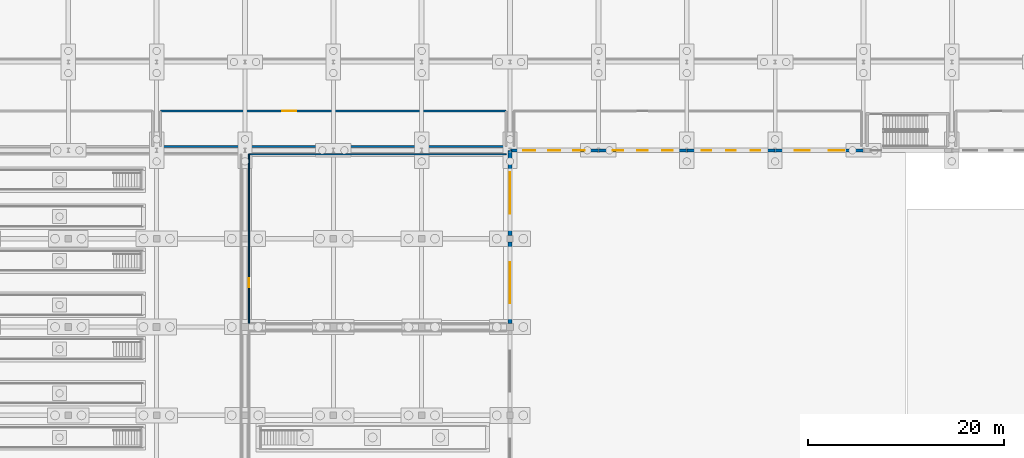
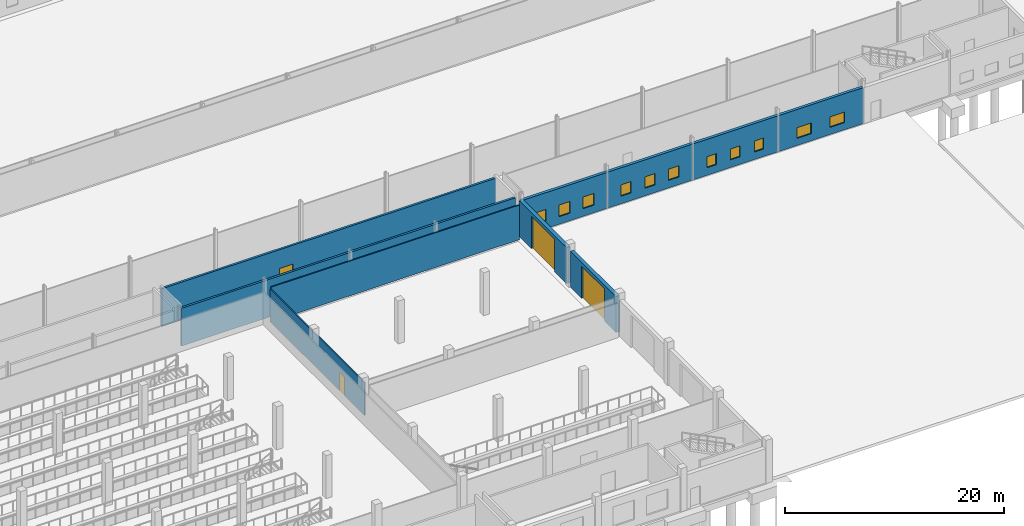
# One storey, part 70 of 112: 11 windows, 10 walls, 4 doors, 15 openings.
"""IFC4 building model written with IfcOpenShell, lengths in metres."""

from ifc_helpers import new_model, si_unit, direction, frame, frame_2d, origin, place, context, subcontext, project, spatial, rectangle, extrude, material, layer, layer_set, type_object, element, fill, save


model = new_model("IFC4")

# Units and contexts
model_context = context("Model", 3, precision=1e-05, world=origin(), true_north=direction((0.0, 1.0)))
body_context = subcontext(model_context, "Body", "Model", "MODEL_VIEW")
ifc_project = project(units=[si_unit("LENGTHUNIT", "METRE"), si_unit("AREAUNIT", "SQUARE_METRE"), si_unit("VOLUMEUNIT", "CUBIC_METRE"), si_unit("PLANEANGLEUNIT", "RADIAN"), si_unit("MASSUNIT", "GRAM", prefix="KILO")], contexts=[model_context])

# Site, building, storey
site_placement = place(None, origin())
site = spatial("IfcSite", under=ifc_project, at=site_placement, CompositionType="ELEMENT")
building_placement = place(site_placement, origin())
building = spatial("IfcBuilding", under=site, at=building_placement, Name="Tharagai Park Tramway Depot", CompositionType="ELEMENT")
storey_placement = place(building_placement, origin())
storey = spatial("IfcBuildingStorey", under=building, at=storey_placement, Name="L00", CompositionType="ELEMENT", Elevation=0.0)

# Wall, opening, door
ifc_material_1 = material(Name="Charnockite stone", Category="masonry")
ifc_layer_1 = layer(ifc_material_1, 0.3798828125)
ifc_layer_set_1 = layer_set([ifc_layer_1], Name="Charnockite stone")
wall_type_1 = type_object("IfcWallType", Name="EW-01", PredefinedType="SOLIDWALL", material=ifc_layer_set_1)
wall_1_placement = place(storey_placement, frame((90.0, 72.347900390625, 0.0), z_axis=(0.0, 0.0, 1.0), x_axis=(0.0, 1.0, 0.0)))
wall_1 = element("IfcWall", 1, at=wall_1_placement, inside=storey, type_object=wall_type_1, Name="L00 V2 Exterior Masonry Wall EW-01", PredefinedType="SOLIDWALL", context=body_context, shape_type="SweptSolid", body=[
    extrude(rectangle(XDim=8.3291015625, YDim=0.3798828125, at=frame_2d((4.16455078125, 0.0))), origin(), (0.0, 0.0, 1.0), 4.011962890625),
])
opening_1_placement = place(wall_1_placement, frame((2.06494140625, 0.0, 0.0)))
opening_1 = element("IfcOpeningElement", 2, at=opening_1_placement, cuts=wall_1, Name="Opening VG-03", PredefinedType="OPENING", context=body_context, shape_type="SweptSolid", body=[
    extrude(rectangle(XDim=4.199951171875, YDim=3.60009765625, at=frame_2d((2.10009765625, 1.800048828125))), frame((0.0, 0.199951171875, 0.0), z_axis=(0.0, -1.0, 0.0), x_axis=(1.0, 0.0, 0.0)), (0.0, 0.0, 1.0), 0.39990234375),
])
ifc_material_2 = material(Name="Galvanised steel", Category="steel")
door_type_1 = type_object("IfcDoorType", Name="VG-03", OperationType="FOLDING_TO_LEFT", PredefinedType="GATE", material=ifc_material_2)
door_1_placement = place(opening_1_placement, frame((4.199951171875, 0.0, 0.0), z_axis=(0.0, 0.0, 1.0), x_axis=(-1.0, 0.0, 0.0)))
door_1 = element("IfcDoor", 3, at=door_1_placement, inside=storey, type_object=door_type_1, Name="V2 Rolling-Stock Shutter Gate VG-03", OperationType="FOLDING_TO_LEFT", OverallHeight=3.60009765625, OverallWidth=4.199951171875, PredefinedType="GATE", context=body_context, shape_type="SweptSolid", body=[
    extrude(rectangle(XDim=4.199951171875, YDim=3.60009765625, at=frame_2d((2.10009765625, 1.800048828125))), frame((0.0, 0.02490234375, 0.0), z_axis=(0.0, -1.0, 0.0), x_axis=(1.0, 0.0, 0.0)), (0.0, 0.0, 1.0), 0.050048828125),
])
fill(opening_1, door_1)

wall_2_placement = place(storey_placement, frame((90.0, 81.322998046875, 0.0), z_axis=(0.0, 0.0, 1.0), x_axis=(0.0, 1.0, 0.0)))
wall_2 = element("IfcWall", 4, at=wall_2_placement, inside=storey, type_object=wall_type_1, Name="L00 V2 Exterior Masonry Wall EW-01", PredefinedType="SOLIDWALL", context=body_context, shape_type="SweptSolid", body=[
    extrude(rectangle(XDim=8.673095703125, YDim=0.3798828125, at=frame_2d((4.33642578125, 0.0))), origin(), (0.0, 0.0, 1.0), 4.011962890625),
])
opening_2_placement = place(wall_2_placement, frame((2.237060546875, 0.0, 0.0)))
opening_2 = element("IfcOpeningElement", 5, at=opening_2_placement, cuts=wall_2, Name="Opening VG-03", PredefinedType="OPENING", context=body_context, shape_type="SweptSolid", body=[
    extrude(rectangle(XDim=4.199951171875, YDim=3.60009765625, at=frame_2d((2.10009765625, 1.800048828125))), frame((0.0, 0.199951171875, 0.0), z_axis=(0.0, -1.0, 0.0), x_axis=(1.0, 0.0, 0.0)), (0.0, 0.0, 1.0), 0.39990234375),
])
door_2_placement = place(opening_2_placement, frame((4.199951171875, 0.0, 0.0), z_axis=(0.0, 0.0, 1.0), x_axis=(-1.0, 0.0, 0.0)))
door_2 = element("IfcDoor", 6, at=door_2_placement, inside=storey, type_object=door_type_1, Name="V2 Rolling-Stock Shutter Gate VG-03", OperationType="FOLDING_TO_LEFT", OverallHeight=3.60009765625, OverallWidth=4.199951171875, PredefinedType="GATE", context=body_context, shape_type="SweptSolid", body=[
    extrude(rectangle(XDim=4.199951171875, YDim=3.60009765625, at=frame_2d((2.10009765625, 1.800048828125))), frame((0.0, 0.02490234375, 0.0), z_axis=(0.0, -1.0, 0.0), x_axis=(1.0, 0.0, 0.0)), (0.0, 0.0, 1.0), 0.050048828125),
])
fill(opening_2, door_2)

# Wall, openings, windows
ifc_material_3 = material(Name="Pressed clay brick", Category="masonry")
ifc_layer_2 = layer(ifc_material_3, 0.300048828125)
ifc_layer_set_2 = layer_set([ifc_layer_2], Name="Pressed clay brick")
wall_type_2 = type_object("IfcWallType", Name="EW-08", PredefinedType="SOLIDWALL", material=ifc_layer_set_2)
wall_3_placement = place(storey_placement, frame((90.00390625, 90.0, 0.0), z_axis=(0.0, 0.0, 1.0), x_axis=(1.0, 0.0, 0.0)))
wall_3 = element("IfcWall", 7, at=wall_3_placement, inside=storey, type_object=wall_type_2, Name="L00 V1 Exterior Masonry Wall EW-08", PredefinedType="SOLIDWALL", context=body_context, shape_type="SweptSolid", body=[
    extrude(rectangle(XDim=8.9921875, YDim=0.300048828125, at=frame_2d((4.49609375, 0.0))), origin(), (0.0, 0.0, 1.0), 4.011962890625),
])
opening_3_placement = place(wall_3_placement, frame((1.363037109375, 0.0, 0.85009765625)))
opening_3 = element("IfcOpeningElement", 8, at=opening_3_placement, cuts=wall_3, Name="Opening WN-44", PredefinedType="OPENING", context=body_context, shape_type="SweptSolid", body=[
    extrude(rectangle(XDim=1.179931640625, YDim=1.300048828125, at=frame_2d((0.58984375, 0.64990234375))), frame((0.0, 0.159912109375, 0.0), z_axis=(0.0, -1.0, 0.0), x_axis=(1.0, 0.0, 0.0)), (0.0, 0.0, 1.0), 0.320068359375),
])
opening_4_placement = place(wall_3_placement, frame((3.906005859375, 0.0, 0.85009765625)))
opening_4 = element("IfcOpeningElement", 9, at=opening_4_placement, cuts=wall_3, Name="Opening WN-44", PredefinedType="OPENING", context=body_context, shape_type="SweptSolid", body=[
    extrude(rectangle(XDim=1.179931640625, YDim=1.300048828125, at=frame_2d((0.58984375, 0.64990234375))), frame((0.0, 0.159912109375, 0.0), z_axis=(0.0, -1.0, 0.0), x_axis=(1.0, 0.0, 0.0)), (0.0, 0.0, 1.0), 0.320068359375),
])
opening_5_placement = place(wall_3_placement, frame((6.448974609375, 0.0, 0.85009765625)))
opening_5 = element("IfcOpeningElement", 10, at=opening_5_placement, cuts=wall_3, Name="Opening WN-44", PredefinedType="OPENING", context=body_context, shape_type="SweptSolid", body=[
    extrude(rectangle(XDim=1.179931640625, YDim=1.300048828125, at=frame_2d((0.58984375, 0.64990234375))), frame((0.0, 0.159912109375, 0.0), z_axis=(0.0, -1.0, 0.0), x_axis=(1.0, 0.0, 0.0)), (0.0, 0.0, 1.0), 0.320068359375),
])
ifc_material_4 = material(Name="Laminated solar-control glass", Category="glass")
window_type_1 = type_object("IfcWindowType", Name="WN-44", PartitioningType="SINGLE_PANEL", PredefinedType="WINDOW", material=ifc_material_4)
window_1_placement = place(opening_3_placement, origin())
window_1 = element("IfcWindow", 11, at=window_1_placement, inside=storey, type_object=window_type_1, Name="L00 V1 Gothic Lancet Window WN-44", OverallHeight=1.300048828125, OverallWidth=1.179931640625, PartitioningType="SINGLE_PANEL", PredefinedType="WINDOW", context=body_context, shape_type="SweptSolid", body=[
    extrude(rectangle(XDim=1.179931640625, YDim=1.300048828125, at=frame_2d((0.58984375, 0.64990234375))), frame((0.0, 0.030029296875, 0.0), z_axis=(0.0, -1.0, 0.0), x_axis=(1.0, 0.0, 0.0)), (0.0, 0.0, 1.0), 0.06005859375),
])
fill(opening_3, window_1)
window_2_placement = place(opening_4_placement, origin())
window_2 = element("IfcWindow", 12, at=window_2_placement, inside=storey, type_object=window_type_1, Name="L00 V1 Gothic Lancet Window WN-44", OverallHeight=1.300048828125, OverallWidth=1.179931640625, PartitioningType="SINGLE_PANEL", PredefinedType="WINDOW", context=body_context, shape_type="SweptSolid", body=[
    extrude(rectangle(XDim=1.179931640625, YDim=1.300048828125, at=frame_2d((0.58984375, 0.64990234375))), frame((0.0, 0.030029296875, 0.0), z_axis=(0.0, -1.0, 0.0), x_axis=(1.0, 0.0, 0.0)), (0.0, 0.0, 1.0), 0.06005859375),
])
fill(opening_4, window_2)
window_3_placement = place(opening_5_placement, origin())
window_3 = element("IfcWindow", 13, at=window_3_placement, inside=storey, type_object=window_type_1, Name="L00 V1 Gothic Lancet Window WN-44", OverallHeight=1.300048828125, OverallWidth=1.179931640625, PartitioningType="SINGLE_PANEL", PredefinedType="WINDOW", context=body_context, shape_type="SweptSolid", body=[
    extrude(rectangle(XDim=1.179931640625, YDim=1.300048828125, at=frame_2d((0.58984375, 0.64990234375))), frame((0.0, 0.030029296875, 0.0), z_axis=(0.0, -1.0, 0.0), x_axis=(1.0, 0.0, 0.0)), (0.0, 0.0, 1.0), 0.06005859375),
])
fill(opening_5, window_3)

wall_4_placement = place(storey_placement, frame((99.00390625, 90.0, 0.0), z_axis=(0.0, 0.0, 1.0), x_axis=(1.0, 0.0, 0.0)))
wall_4 = element("IfcWall", 14, at=wall_4_placement, inside=storey, type_object=wall_type_2, Name="L00 V1 Exterior Masonry Wall EW-08", PredefinedType="SOLIDWALL", context=body_context, shape_type="SweptSolid", body=[
    extrude(rectangle(XDim=8.9921875, YDim=0.300048828125, at=frame_2d((4.49609375, 0.0))), origin(), (0.0, 0.0, 1.0), 4.011962890625),
])
opening_6_placement = place(wall_4_placement, frame((1.43798828125, 0.0, 0.85009765625)))
opening_6 = element("IfcOpeningElement", 15, at=opening_6_placement, cuts=wall_4, Name="Opening WN-48", PredefinedType="OPENING", context=body_context, shape_type="SweptSolid", body=[
    extrude(rectangle(XDim=1.080078125, YDim=1.260009765625, at=frame_2d((0.5400390625, 0.6298828125))), frame((0.0, 0.159912109375, 0.0), z_axis=(0.0, -1.0, 0.0), x_axis=(1.0, 0.0, 0.0)), (0.0, 0.0, 1.0), 0.320068359375),
])
opening_7_placement = place(wall_4_placement, frame((3.9560546875, 0.0, 0.85009765625)))
opening_7 = element("IfcOpeningElement", 16, at=opening_7_placement, cuts=wall_4, Name="Opening WN-48", PredefinedType="OPENING", context=body_context, shape_type="SweptSolid", body=[
    extrude(rectangle(XDim=1.080078125, YDim=1.260009765625, at=frame_2d((0.5400390625, 0.6298828125))), frame((0.0, 0.159912109375, 0.0), z_axis=(0.0, -1.0, 0.0), x_axis=(1.0, 0.0, 0.0)), (0.0, 0.0, 1.0), 0.320068359375),
])
opening_8_placement = place(wall_4_placement, frame((6.47412109375, 0.0, 0.85009765625)))
opening_8 = element("IfcOpeningElement", 17, at=opening_8_placement, cuts=wall_4, Name="Opening WN-48", PredefinedType="OPENING", context=body_context, shape_type="SweptSolid", body=[
    extrude(rectangle(XDim=1.080078125, YDim=1.260009765625, at=frame_2d((0.5400390625, 0.6298828125))), frame((0.0, 0.159912109375, 0.0), z_axis=(0.0, -1.0, 0.0), x_axis=(1.0, 0.0, 0.0)), (0.0, 0.0, 1.0), 0.320068359375),
])
window_type_2 = type_object("IfcWindowType", Name="WN-48", PartitioningType="SINGLE_PANEL", PredefinedType="WINDOW", material=ifc_material_4)
window_4_placement = place(opening_6_placement, origin())
window_4 = element("IfcWindow", 18, at=window_4_placement, inside=storey, type_object=window_type_2, Name="L00 V1 Gothic Lancet Window WN-48", OverallHeight=1.260009765625, OverallWidth=1.080078125, PartitioningType="SINGLE_PANEL", PredefinedType="WINDOW", context=body_context, shape_type="SweptSolid", body=[
    extrude(rectangle(XDim=1.080078125, YDim=1.260009765625, at=frame_2d((0.5400390625, 0.6298828125))), frame((0.0, 0.030029296875, 0.0), z_axis=(0.0, -1.0, 0.0), x_axis=(1.0, 0.0, 0.0)), (0.0, 0.0, 1.0), 0.06005859375),
])
fill(opening_6, window_4)
window_5_placement = place(opening_7_placement, origin())
window_5 = element("IfcWindow", 19, at=window_5_placement, inside=storey, type_object=window_type_2, Name="L00 V1 Gothic Lancet Window WN-48", OverallHeight=1.260009765625, OverallWidth=1.080078125, PartitioningType="SINGLE_PANEL", PredefinedType="WINDOW", context=body_context, shape_type="SweptSolid", body=[
    extrude(rectangle(XDim=1.080078125, YDim=1.260009765625, at=frame_2d((0.5400390625, 0.6298828125))), frame((0.0, 0.030029296875, 0.0), z_axis=(0.0, -1.0, 0.0), x_axis=(1.0, 0.0, 0.0)), (0.0, 0.0, 1.0), 0.06005859375),
])
fill(opening_7, window_5)
window_6_placement = place(opening_8_placement, origin())
window_6 = element("IfcWindow", 20, at=window_6_placement, inside=storey, type_object=window_type_2, Name="L00 V1 Gothic Lancet Window WN-48", OverallHeight=1.260009765625, OverallWidth=1.080078125, PartitioningType="SINGLE_PANEL", PredefinedType="WINDOW", context=body_context, shape_type="SweptSolid", body=[
    extrude(rectangle(XDim=1.080078125, YDim=1.260009765625, at=frame_2d((0.5400390625, 0.6298828125))), frame((0.0, 0.030029296875, 0.0), z_axis=(0.0, -1.0, 0.0), x_axis=(1.0, 0.0, 0.0)), (0.0, 0.0, 1.0), 0.06005859375),
])
fill(opening_8, window_6)

wall_5_placement = place(storey_placement, frame((108.00390625, 90.0, 0.0), z_axis=(0.0, 0.0, 1.0), x_axis=(1.0, 0.0, 0.0)))
wall_5 = element("IfcWall", 21, at=wall_5_placement, inside=storey, type_object=wall_type_2, Name="L00 V1 Exterior Masonry Wall EW-08", PredefinedType="SOLIDWALL", context=body_context, shape_type="SweptSolid", body=[
    extrude(rectangle(XDim=8.9921875, YDim=0.300048828125, at=frame_2d((4.49609375, 0.0))), origin(), (0.0, 0.0, 1.0), 4.011962890625),
])
opening_9_placement = place(wall_5_placement, frame((1.512939453125, 0.0, 0.85009765625)))
opening_9 = element("IfcOpeningElement", 22, at=opening_9_placement, cuts=wall_5, Name="Opening WN-01", PredefinedType="OPENING", context=body_context, shape_type="SweptSolid", body=[
    extrude(rectangle(XDim=0.97998046875, YDim=1.219970703125, at=frame_2d((0.489990234375, 0.60986328125))), frame((0.0, 0.159912109375, 0.0), z_axis=(0.0, -1.0, 0.0), x_axis=(1.0, 0.0, 0.0)), (0.0, 0.0, 1.0), 0.320068359375),
])
opening_10_placement = place(wall_5_placement, frame((4.006103515625, 0.0, 0.85009765625)))
opening_10 = element("IfcOpeningElement", 23, at=opening_10_placement, cuts=wall_5, Name="Opening WN-01", PredefinedType="OPENING", context=body_context, shape_type="SweptSolid", body=[
    extrude(rectangle(XDim=0.97998046875, YDim=1.219970703125, at=frame_2d((0.489990234375, 0.60986328125))), frame((0.0, 0.159912109375, 0.0), z_axis=(0.0, -1.0, 0.0), x_axis=(1.0, 0.0, 0.0)), (0.0, 0.0, 1.0), 0.320068359375),
])
opening_11_placement = place(wall_5_placement, frame((6.4990234375, 0.0, 0.85009765625)))
opening_11 = element("IfcOpeningElement", 24, at=opening_11_placement, cuts=wall_5, Name="Opening WN-01", PredefinedType="OPENING", context=body_context, shape_type="SweptSolid", body=[
    extrude(rectangle(XDim=0.97998046875, YDim=1.219970703125, at=frame_2d((0.489990234375, 0.60986328125))), frame((0.0, 0.159912109375, 0.0), z_axis=(0.0, -1.0, 0.0), x_axis=(1.0, 0.0, 0.0)), (0.0, 0.0, 1.0), 0.320068359375),
])
window_type_3 = type_object("IfcWindowType", Name="WN-01", PartitioningType="SINGLE_PANEL", PredefinedType="WINDOW", material=ifc_material_4)
window_7_placement = place(opening_9_placement, origin())
window_7 = element("IfcWindow", 25, at=window_7_placement, inside=storey, type_object=window_type_3, Name="L00 V1 Gothic Lancet Window WN-01", OverallHeight=1.219970703125, OverallWidth=0.97998046875, PartitioningType="SINGLE_PANEL", PredefinedType="WINDOW", context=body_context, shape_type="SweptSolid", body=[
    extrude(rectangle(XDim=0.97998046875, YDim=1.219970703125, at=frame_2d((0.489990234375, 0.60986328125))), frame((0.0, 0.030029296875, 0.0), z_axis=(0.0, -1.0, 0.0), x_axis=(1.0, 0.0, 0.0)), (0.0, 0.0, 1.0), 0.06005859375),
])
fill(opening_9, window_7)
window_8_placement = place(opening_10_placement, origin())
window_8 = element("IfcWindow", 26, at=window_8_placement, inside=storey, type_object=window_type_3, Name="L00 V1 Gothic Lancet Window WN-01", OverallHeight=1.219970703125, OverallWidth=0.97998046875, PartitioningType="SINGLE_PANEL", PredefinedType="WINDOW", context=body_context, shape_type="SweptSolid", body=[
    extrude(rectangle(XDim=0.97998046875, YDim=1.219970703125, at=frame_2d((0.489990234375, 0.60986328125))), frame((0.0, 0.030029296875, 0.0), z_axis=(0.0, -1.0, 0.0), x_axis=(1.0, 0.0, 0.0)), (0.0, 0.0, 1.0), 0.06005859375),
])
fill(opening_10, window_8)
window_9_placement = place(opening_11_placement, origin())
window_9 = element("IfcWindow", 27, at=window_9_placement, inside=storey, type_object=window_type_3, Name="L00 V1 Gothic Lancet Window WN-01", OverallHeight=1.219970703125, OverallWidth=0.97998046875, PartitioningType="SINGLE_PANEL", PredefinedType="WINDOW", context=body_context, shape_type="SweptSolid", body=[
    extrude(rectangle(XDim=0.97998046875, YDim=1.219970703125, at=frame_2d((0.489990234375, 0.60986328125))), frame((0.0, 0.030029296875, 0.0), z_axis=(0.0, -1.0, 0.0), x_axis=(1.0, 0.0, 0.0)), (0.0, 0.0, 1.0), 0.06005859375),
])
fill(opening_11, window_9)

wall_6_placement = place(storey_placement, frame((117.00390625, 90.0, 0.0), z_axis=(0.0, 0.0, 1.0), x_axis=(1.0, 0.0, 0.0)))
wall_6 = element("IfcWall", 28, at=wall_6_placement, inside=storey, type_object=wall_type_2, Name="L00 V1 Exterior Masonry Wall EW-08", PredefinedType="SOLIDWALL", context=body_context, shape_type="SweptSolid", body=[
    extrude(rectangle(XDim=8.9921875, YDim=0.300048828125, at=frame_2d((4.49609375, 0.0))), origin(), (0.0, 0.0, 1.0), 4.011962890625),
])
opening_12_placement = place(wall_6_placement, frame((1.970947265625, 0.0, 0.800048828125)))
opening_12 = element("IfcOpeningElement", 29, at=opening_12_placement, cuts=wall_6, Name="Opening WN-07", PredefinedType="OPENING", context=body_context, shape_type="SweptSolid", body=[
    extrude(rectangle(XDim=1.5400390625, YDim=1.179931640625, at=frame_2d((0.77001953125, 0.58984375))), frame((0.0, 0.159912109375, 0.0), z_axis=(0.0, -1.0, 0.0), x_axis=(1.0, 0.0, 0.0)), (0.0, 0.0, 1.0), 0.320068359375),
])
opening_13_placement = place(wall_6_placement, frame((5.48095703125, 0.0, 0.800048828125)))
opening_13 = element("IfcOpeningElement", 30, at=opening_13_placement, cuts=wall_6, Name="Opening WN-07", PredefinedType="OPENING", context=body_context, shape_type="SweptSolid", body=[
    extrude(rectangle(XDim=1.5400390625, YDim=1.179931640625, at=frame_2d((0.77001953125, 0.58984375))), frame((0.0, 0.159912109375, 0.0), z_axis=(0.0, -1.0, 0.0), x_axis=(1.0, 0.0, 0.0)), (0.0, 0.0, 1.0), 0.320068359375),
])
window_type_4 = type_object("IfcWindowType", Name="WN-07", PartitioningType="SINGLE_PANEL", PredefinedType="WINDOW", material=ifc_material_4)
window_10_placement = place(opening_12_placement, origin())
window_10 = element("IfcWindow", 31, at=window_10_placement, inside=storey, type_object=window_type_4, Name="L00 V1 Gothic Lancet Window WN-07", OverallHeight=1.179931640625, OverallWidth=1.5400390625, PartitioningType="SINGLE_PANEL", PredefinedType="WINDOW", context=body_context, shape_type="SweptSolid", body=[
    extrude(rectangle(XDim=1.5400390625, YDim=1.179931640625, at=frame_2d((0.77001953125, 0.58984375))), frame((0.0, 0.030029296875, 0.0), z_axis=(0.0, -1.0, 0.0), x_axis=(1.0, 0.0, 0.0)), (0.0, 0.0, 1.0), 0.06005859375),
])
fill(opening_12, window_10)
window_11_placement = place(opening_13_placement, origin())
window_11 = element("IfcWindow", 32, at=window_11_placement, inside=storey, type_object=window_type_4, Name="L00 V1 Gothic Lancet Window WN-07", OverallHeight=1.179931640625, OverallWidth=1.5400390625, PartitioningType="SINGLE_PANEL", PredefinedType="WINDOW", context=body_context, shape_type="SweptSolid", body=[
    extrude(rectangle(XDim=1.5400390625, YDim=1.179931640625, at=frame_2d((0.77001953125, 0.58984375))), frame((0.0, 0.030029296875, 0.0), z_axis=(0.0, -1.0, 0.0), x_axis=(1.0, 0.0, 0.0)), (0.0, 0.0, 1.0), 0.06005859375),
])
fill(opening_13, window_11)

# Wall
ifc_material_5 = material(Name="Gypsum board", Category="gypsum")
ifc_layer_3 = layer(ifc_material_5, 0.1201171875)
ifc_layer_set_3 = layer_set([ifc_layer_3], Name="Gypsum board")
wall_type_3 = type_object("IfcWallType", Name="IW-03", PredefinedType="PARTITIONING", material=ifc_layer_set_3)
wall_7_placement = place(storey_placement, frame((63.39990234375, 89.60009765625, 0.0), z_axis=(0.0, 0.0, 1.0), x_axis=(1.0, 0.0, 0.0)))
element("IfcWall", 33, at=wall_7_placement, inside=storey, type_object=wall_type_3, Name="Bogie Drop Table and Heavy Lifting Bay Partition North", PredefinedType="PARTITIONING", context=body_context, shape_type="SweptSolid", body=[
    extrude(rectangle(XDim=26.2001953125, YDim=0.1201171875, at=frame_2d((13.10009765625, 0.0))), origin(), (0.0, 0.0, 1.0), 3.864990234375),
])

# Wall, opening, door
wall_8_placement = place(storey_placement, frame((63.39990234375, 72.39990234375, 0.0), z_axis=(0.0, 0.0, 1.0), x_axis=(0.0, 1.0, 0.0)))
wall_8 = element("IfcWall", 34, at=wall_8_placement, inside=storey, type_object=wall_type_3, Name="Bogie Drop Table and Heavy Lifting Bay Partition West", PredefinedType="PARTITIONING", context=body_context, shape_type="SweptSolid", body=[
    extrude(rectangle(XDim=17.2001953125, YDim=0.1201171875, at=frame_2d((8.60009765625, 0.0))), origin(), (0.0, 0.0, 1.0), 3.6650390625),
])
opening_14_placement = place(wall_8_placement, frame((3.6298828125, 0.0, 0.0)))
opening_14 = element("IfcOpeningElement", 35, at=opening_14_placement, cuts=wall_8, Name="Opening ID-03", PredefinedType="OPENING", context=body_context, shape_type="SweptSolid", body=[
    extrude(rectangle(XDim=0.93994140625, YDim=2.06005859375, at=frame_2d((0.469970703125, 1.030029296875))), frame((0.0, 0.070068359375, 0.0), z_axis=(0.0, -1.0, 0.0), x_axis=(1.0, 0.0, 0.0)), (0.0, 0.0, 1.0), 0.14013671875),
])
ifc_material_6 = material(Name="Pressed timber", Category="wood")
door_type_2 = type_object("IfcDoorType", Name="ID-03", OperationType="NOTDEFINED", PredefinedType="DOOR", material=ifc_material_6)
door_3_placement = place(opening_14_placement, origin())
door_3 = element("IfcDoor", 36, at=door_3_placement, inside=storey, type_object=door_type_2, Name="Bogie Drop Table and Heavy Lifting Bay Door", OperationType="SINGLE_SWING_RIGHT", OverallHeight=2.06005859375, OverallWidth=0.93994140625, PredefinedType="DOOR", context=body_context, shape_type="SweptSolid", body=[
    extrude(rectangle(XDim=0.93994140625, YDim=2.06005859375, at=frame_2d((0.469970703125, 1.030029296875))), frame((0.0, 0.02490234375, 0.0), z_axis=(0.0, -1.0, 0.0), x_axis=(1.0, 0.0, 0.0)), (0.0, 0.0, 1.0), 0.050048828125),
])
fill(opening_14, door_3)

# Wall
ifc_layer_4 = layer(ifc_material_3, 0.219970703125)
ifc_layer_set_4 = layer_set([ifc_layer_4], Name="Pressed clay brick")
wall_type_4 = type_object("IfcWallType", Name="IW-05", PredefinedType="SOLIDWALL", material=ifc_layer_set_4)
wall_9_placement = place(storey_placement, frame((54.39990234375, 90.39990234375, 0.0), z_axis=(0.0, 0.0, 1.0), x_axis=(1.0, 0.0, 0.0)))
element("IfcWall", 37, at=wall_9_placement, inside=storey, type_object=wall_type_4, Name="Pantograph Charger Switchgear Room Partition South", PredefinedType="SOLIDWALL", context=body_context, shape_type="SweptSolid", body=[
    extrude(rectangle(XDim=35.2001953125, YDim=0.219970703125, at=frame_2d((17.60009765625, 0.0))), origin(), (0.0, 0.0, 1.0), 4.215087890625),
])

# Wall, opening, door
wall_10_placement = place(storey_placement, frame((54.39990234375, 94.0, 0.0), z_axis=(0.0, 0.0, 1.0), x_axis=(1.0, 0.0, 0.0)))
wall_10 = element("IfcWall", 38, at=wall_10_placement, inside=storey, type_object=wall_type_4, Name="Pantograph Charger Switchgear Room Partition North", PredefinedType="SOLIDWALL", context=body_context, shape_type="SweptSolid", body=[
    extrude(rectangle(XDim=35.2001953125, YDim=0.219970703125, at=frame_2d((17.60009765625, 0.0))), origin(), (0.0, 0.0, 1.0), 4.215087890625),
])
opening_15_placement = place(wall_10_placement, frame((12.389892578125, 0.0, 0.0)))
opening_15 = element("IfcOpeningElement", 39, at=opening_15_placement, cuts=wall_10, Name="Opening ID-06", PredefinedType="OPENING", context=body_context, shape_type="SweptSolid", body=[
    extrude(rectangle(XDim=1.419921875, YDim=2.1201171875, at=frame_2d((0.7099609375, 1.06005859375))), frame((0.0, 0.119873046875, 0.0), z_axis=(0.0, -1.0, 0.0), x_axis=(1.0, 0.0, 0.0)), (0.0, 0.0, 1.0), 0.239990234375),
])
door_type_3 = type_object("IfcDoorType", Name="ID-06", OperationType="DOUBLE_SWING_LEFT", PredefinedType="DOOR", material=ifc_material_2)
door_4_placement = place(opening_15_placement, origin())
door_4 = element("IfcDoor", 40, at=door_4_placement, inside=storey, type_object=door_type_3, Name="Pantograph Charger Switchgear Room Door", OperationType="DOUBLE_SWING_LEFT", OverallHeight=2.1201171875, OverallWidth=1.419921875, PredefinedType="DOOR", context=body_context, shape_type="SweptSolid", body=[
    extrude(rectangle(XDim=1.419921875, YDim=2.1201171875, at=frame_2d((0.7099609375, 1.06005859375))), frame((0.0, 0.02490234375, 0.0), z_axis=(0.0, -1.0, 0.0), x_axis=(1.0, 0.0, 0.0)), (0.0, 0.0, 1.0), 0.050048828125),
])
fill(opening_15, door_4)

save(model, "model.ifc")
